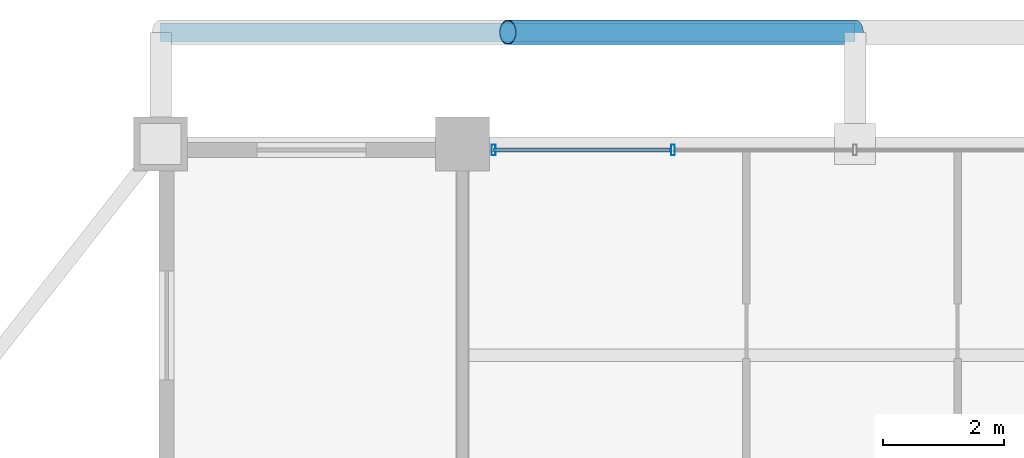
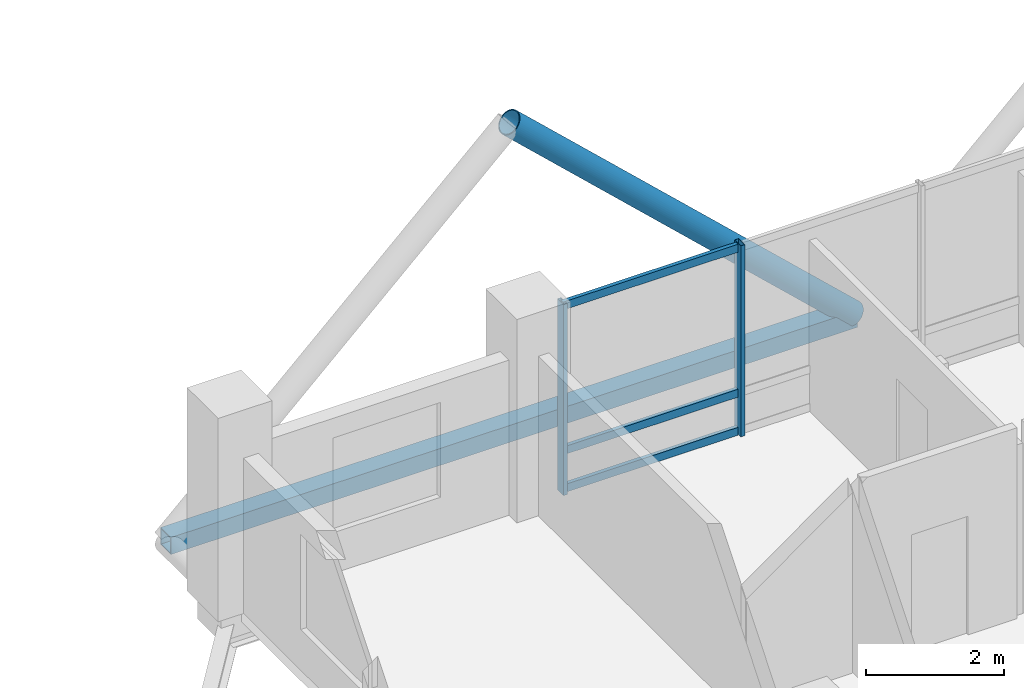
# One storey, part 15 of 24: 7 members, 1 element without a shape of its own.
"""IFC4 building model written with IfcOpenShell, lengths in metres."""

from ifc_helpers import new_model, si_unit, direction, frame, origin, origin_2d, place, context, subcontext, project, spatial, hollow_rectangle, hollow_circle, extrude, material, layer, layer_set, material_profile, profile_set, type_object, element, aggregate, save


model = new_model("IFC4")

# Units and contexts
model_context = context("Model", 3, precision=1e-05, world=origin(), true_north=direction((0.0, 1.0)))
body_context = subcontext(model_context, "Body", "Model", "MODEL_VIEW")
ifc_project = project(units=[si_unit("LENGTHUNIT", "METRE"), si_unit("AREAUNIT", "SQUARE_METRE"), si_unit("VOLUMEUNIT", "CUBIC_METRE"), si_unit("PLANEANGLEUNIT", "RADIAN"), si_unit("MASSUNIT", "GRAM", prefix="KILO")], contexts=[model_context])

# Site, building, storey
site_placement = place(None, origin())
site = spatial("IfcSite", under=ifc_project, at=site_placement, CompositionType="ELEMENT")
building_placement = place(site_placement, origin())
building = spatial("IfcBuilding", under=site, at=building_placement, Name="Barlavira Tower and Art Museum", CompositionType="ELEMENT")
storey_placement = place(building_placement, frame((0.0, 0.0, 283.5)))
storey = spatial("IfcBuildingStorey", under=building, at=storey_placement, Name="L74", CompositionType="ELEMENT", Elevation=283.5)

# Curtain wall, members
ifc_material_1 = material(Name="Low-iron coastal laminated glass", Category="glass")
ifc_layer = layer(ifc_material_1, 0.2099609375, Name="Low-iron coastal laminated glass")
ifc_layer_set = layer_set([ifc_layer], Name="Low-iron coastal laminated glass")
curtain_wall_type = type_object("IfcCurtainWallType", Name="Pale-Metal Unitised Curtain Wall Zone 4", PredefinedType="NOTDEFINED", material=ifc_layer_set)
curtain_wall_placement = place(storey_placement, origin())
curtain_wall = element("IfcCurtainWall", 1, at=curtain_wall_placement, inside=storey, type_object=curtain_wall_type, Name="L74 Curtain Wall CW4-L74-N-B2", PredefinedType="NOTDEFINED")
ifc_material_2 = material(Name="Pale anodised aluminium", Category="aluminium")
ifc_material_profile_1 = material_profile(ifc_material_2, hollow_rectangle(XDim=0.06494140625, YDim=0.179931640625, WallThickness=0.00390625, at=origin_2d()), Name="ALU-MULL 65x180x4")
ifc_profile_set_1 = profile_set([ifc_material_profile_1], Name="Pale anodised aluminium")
member_type_1 = type_object("IfcMemberType", Name="Curtain Wall Pale-Metal Mullion 65x180", PredefinedType="MULLION", material=ifc_profile_set_1)
member_1_placement = place(storey_placement, frame((-3.014892578125, 19.89990234375, 0.0), z_axis=(0.0, 0.0, 1.0), x_axis=(-1.0, 0.0, 0.0)))
member_1 = element("IfcMember", 2, at=member_1_placement, type_object=member_type_1, Name="CW4-L74-N-B2 Mullion 3", PredefinedType="MULLION", context=body_context, shape_type="SweptSolid", body=[
    extrude(hollow_rectangle(XDim=0.06494140625, YDim=0.179931640625, WallThickness=0.00390625, at=origin_2d()), origin(), (0.0, 0.0, 1.0), 3.3798828125),
])
member_2_placement = place(storey_placement, frame((-5.985107421875, 19.89990234375, 0.0), z_axis=(0.0, 0.0, 1.0), x_axis=(-1.0, 0.0, 0.0)))
member_2 = element("IfcMember", 3, at=member_2_placement, type_object=member_type_1, Name="CW4-L74-N-B2 Mullion 4", PredefinedType="MULLION", context=body_context, shape_type="SweptSolid", body=[
    extrude(hollow_rectangle(XDim=0.06494140625, YDim=0.179931640625, WallThickness=0.00390625, at=origin_2d()), origin(), (0.0, 0.0, 1.0), 3.3798828125),
])
ifc_material_profile_2 = material_profile(ifc_material_2, hollow_rectangle(XDim=0.06494140625, YDim=0.139892578125, WallThickness=0.00390625, at=origin_2d()), Name="ALU-TRAN 65x140x4")
ifc_profile_set_2 = profile_set([ifc_material_profile_2], Name="Pale anodised aluminium")
member_type_2 = type_object("IfcMemberType", Name="Curtain Wall Pale-Metal Transom 65x140", PredefinedType="USERDEFINED", material=ifc_profile_set_2)
member_3_placement = place(storey_placement, frame((-3.06005859375, 19.89990234375, 0.070068359375), z_axis=(-1.0, 0.0, 0.0), x_axis=(0.0, -1.0, 0.0)))
member_3 = element("IfcMember", 4, at=member_3_placement, type_object=member_type_2, Name="CW4-L74-N-B2 Transom 3.1", ObjectType="TRANSOM", PredefinedType="USERDEFINED", context=body_context, shape_type="SweptSolid", body=[
    extrude(hollow_rectangle(XDim=0.06494140625, YDim=0.139892578125, WallThickness=0.00390625, at=origin_2d()), origin(), (0.0, 0.0, 1.0), 2.925048828125),
])
member_4_placement = place(storey_placement, frame((-3.06005859375, 19.89990234375, 0.743896484375), z_axis=(-1.0, 0.0, 0.0), x_axis=(0.0, -1.0, 0.0)))
member_4 = element("IfcMember", 5, at=member_4_placement, type_object=member_type_2, Name="CW4-L74-N-B2 Transom 3.2", ObjectType="TRANSOM", PredefinedType="USERDEFINED", context=body_context, shape_type="SweptSolid", body=[
    extrude(hollow_rectangle(XDim=0.06494140625, YDim=0.139892578125, WallThickness=0.00390625, at=origin_2d()), origin(), (0.0, 0.0, 1.0), 2.925048828125),
])
member_5_placement = place(storey_placement, frame((-3.06005859375, 19.89990234375, 3.31005859375), z_axis=(-1.0, 0.0, 0.0), x_axis=(0.0, -1.0, 0.0)))
member_5 = element("IfcMember", 6, at=member_5_placement, type_object=member_type_2, Name="CW4-L74-N-B2 Transom 3.3", ObjectType="TRANSOM", PredefinedType="USERDEFINED", context=body_context, shape_type="SweptSolid", body=[
    extrude(hollow_rectangle(XDim=0.06494140625, YDim=0.139892578125, WallThickness=0.00390625, at=origin_2d()), origin(), (0.0, 0.0, 1.0), 2.925048828125),
])
aggregate(curtain_wall, [member_1, member_2, member_3, member_4, member_5])

# Members
ifc_material_3 = material(Name="Steel S355", Category="steel")
ifc_material_profile_3 = material_profile(ifc_material_3, hollow_circle(Radius=0.203125, WallThickness=0.01611328125, at=origin_2d()), Name="CHS 406.4x16.0")
ifc_profile_set_3 = profile_set([ifc_material_profile_3], Name="Steel S355")
member_type_3 = type_object("IfcMemberType", Name="Pale-Metal Exoskeleton Diagrid Tube CHS 406x16 Steel S355", PredefinedType="BRACE", material=ifc_profile_set_3)
member_6_placement = place(storey_placement, frame((0.0, 21.85009765625, -0.1201171875), z_axis=(-0.728934650808, 0.0, 0.684583285548), x_axis=(0.0, -1.0, 0.0)))
element("IfcMember", 7, at=member_6_placement, inside=storey, type_object=member_type_3, Name="L74 Exoskeleton Diagrid Tube N", PredefinedType="BRACE", context=body_context, shape_type="SweptSolid", body=[
    extrude(hollow_circle(Radius=0.203125, WallThickness=0.01611328125, at=origin_2d()), origin(), (0.0, 0.0, 1.0), 7.88818359375),
])
ifc_material_profile_4 = material_profile(ifc_material_3, hollow_rectangle(XDim=0.300048828125, YDim=0.300048828125, WallThickness=0.01611328125, at=origin_2d()), Name="SHS 300x300x16.0")
ifc_profile_set_4 = profile_set([ifc_material_profile_4], Name="Steel S355")
member_type_4 = type_object("IfcMemberType", Name="Pale-Metal Upper Ring Strut SHS 300x300x16 Steel S355", PredefinedType="STRUT", material=ifc_profile_set_4)
member_7_placement = place(storey_placement, frame((-11.5, 21.85009765625, -0.1201171875), z_axis=(1.0, 0.0, 0.0), x_axis=(0.0, 1.0, 0.0)))
element("IfcMember", 8, at=member_7_placement, inside=storey, type_object=member_type_4, Name="L74 Exoskeleton Ring Strut N", PredefinedType="STRUT", context=body_context, shape_type="SweptSolid", body=[
    extrude(hollow_rectangle(XDim=0.300048828125, YDim=0.300048828125, WallThickness=0.01611328125, at=origin_2d()), origin(), (0.0, 0.0, 1.0), 11.5),
])

save(model, "model.ifc")
